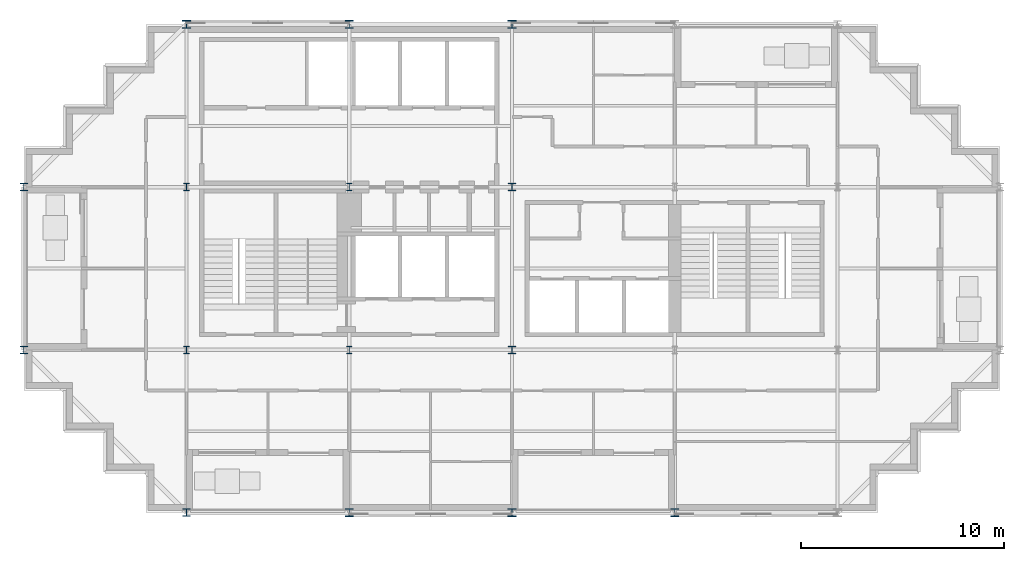
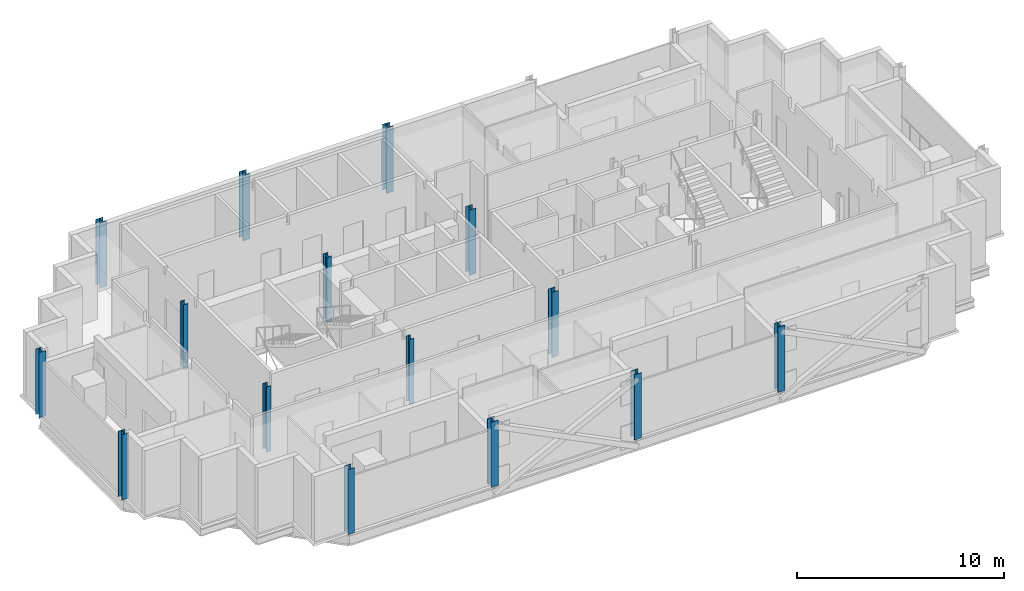
# One storey, part 1 of 10: 15 columns.
"""IFC4 building model written with IfcOpenShell, lengths in metres."""

from ifc_helpers import new_model, si_unit, direction, frame, origin, origin_2d, place, context, subcontext, project, spatial, i_section, extrude, material, material_profile, profile_set, type_object, element, save


model = new_model("IFC4")

# Units and contexts
model_context = context("Model", 3, precision=1e-05, world=origin(), true_north=direction((0.0, 1.0)))
body_context = subcontext(model_context, "Body", "Model", "MODEL_VIEW")
ifc_project = project(units=[si_unit("LENGTHUNIT", "METRE"), si_unit("AREAUNIT", "SQUARE_METRE"), si_unit("VOLUMEUNIT", "CUBIC_METRE"), si_unit("PLANEANGLEUNIT", "RADIAN"), si_unit("MASSUNIT", "GRAM", prefix="KILO")], contexts=[model_context])

# Site, building, storey
site_placement = place(None, origin())
site = spatial("IfcSite", under=ifc_project, at=site_placement, CompositionType="ELEMENT")
building_placement = place(site_placement, origin())
building = spatial("IfcBuilding", under=site, at=building_placement, Name="Immortelle Media Tower", CompositionType="ELEMENT")
storey_placement = place(building_placement, frame((0.0, 0.0, 279.0)))
storey = spatial("IfcBuildingStorey", under=building, at=storey_placement, Name="L61", CompositionType="ELEMENT", Elevation=279.0)

# Columns
ifc_material = material(Name="Steel ASTM A992 Gr 50", Category="steel")
ifc_material_profile_1 = material_profile(ifc_material, i_section(OverallWidth=0.373046875, OverallDepth=0.367919921875, WebThickness=0.014892578125, FlangeThickness=0.02392578125, at=origin_2d()), Name="W14x120")
ifc_profile_set_1 = profile_set([ifc_material_profile_1], Name="Steel ASTM A992 Gr 50")
column_type_1 = type_object("IfcColumnType", Name="W14x120 column", PredefinedType="COLUMN", material=ifc_profile_set_1)
for number, where, z_axis, x_axis, name in (
    (1, (0.0, 8.0, 0.0), (0.0, 0.0, 1.0), (1.0, 0.0, 0.0), "Column 1/B"),
    (2, (0.0, 16.0, 0.0), (0.0, 0.0, 1.0), (1.0, 0.0, 0.0), "Column 1/C"),
    (3, (8.0, 0.0, 0.0), (0.0, 0.0, 1.0), (1.0, 0.0, 0.0), "Column 2/A"),
):
    element("IfcColumn", number, at=place(storey_placement, frame(where, z_axis=z_axis, x_axis=x_axis)), inside=storey, type_object=column_type_1, Name=name, PredefinedType="COLUMN", context=body_context, shape_type="SweptSolid", body=[
        extrude(i_section(OverallWidth=0.373046875, OverallDepth=0.367919921875, WebThickness=0.014892578125, FlangeThickness=0.02392578125, at=origin_2d()), origin(), (0.0, 0.0, 1.0), 3.85009765625),
    ])
ifc_material_profile_2 = material_profile(ifc_material, i_section(OverallWidth=0.39892578125, OverallDepth=0.385986328125, WebThickness=0.02099609375, FlangeThickness=0.032958984375, at=origin_2d()), Name="W14x176")
ifc_profile_set_2 = profile_set([ifc_material_profile_2], Name="Steel ASTM A992 Gr 50")
column_type_2 = type_object("IfcColumnType", Name="W14x176 column", PredefinedType="COLUMN", material=ifc_profile_set_2)
for number, where, z_axis, x_axis, name in (
    (4, (8.0, 24.0, 0.0), (0.0, 0.0, 1.0), (1.0, 0.0, 0.0), "Column 2/D"),
    (5, (16.0, 0.0, 0.0), (0.0, 0.0, 1.0), (1.0, 0.0, 0.0), "Column 3/A"),
    (6, (16.0, 24.0, 0.0), (0.0, 0.0, 1.0), (1.0, 0.0, 0.0), "Column 3/D"),
    (7, (24.0, 0.0, 0.0), (0.0, 0.0, 1.0), (1.0, 0.0, 0.0), "Column 4/A"),
    (8, (24.0, 24.0, 0.0), (0.0, 0.0, 1.0), (1.0, 0.0, 0.0), "Column 4/D"),
    (9, (32.0, 0.0, 0.0), (0.0, 0.0, 1.0), (1.0, 0.0, 0.0), "Column 5/A"),
):
    element("IfcColumn", number, at=place(storey_placement, frame(where, z_axis=z_axis, x_axis=x_axis)), inside=storey, type_object=column_type_2, Name=name, PredefinedType="COLUMN", context=body_context, shape_type="SweptSolid", body=[
        extrude(i_section(OverallWidth=0.39892578125, OverallDepth=0.385986328125, WebThickness=0.02099609375, FlangeThickness=0.032958984375, at=origin_2d()), origin(), (0.0, 0.0, 1.0), 3.85009765625),
    ])
ifc_material_profile_3 = material_profile(ifc_material, i_section(OverallWidth=0.257080078125, OverallDepth=0.363037109375, WebThickness=0.012939453125, FlangeThickness=0.02197265625, at=origin_2d()), Name="W14x82")
ifc_profile_set_3 = profile_set([ifc_material_profile_3], Name="Steel ASTM A992 Gr 50")
column_type_3 = type_object("IfcColumnType", Name="W14x82 column", PredefinedType="COLUMN", material=ifc_profile_set_3)
for number, where, z_axis, x_axis, name in (
    (10, (8.0, 8.0, 0.0), (0.0, 0.0, 1.0), (1.0, 0.0, 0.0), "Column 2/B"),
    (11, (8.0, 16.0, 0.0), (0.0, 0.0, 1.0), (1.0, 0.0, 0.0), "Column 2/C"),
    (12, (16.0, 8.0, 0.0), (0.0, 0.0, 1.0), (1.0, 0.0, 0.0), "Column 3/B"),
    (13, (16.0, 16.0, 0.0), (0.0, 0.0, 1.0), (1.0, 0.0, 0.0), "Column 3/C"),
):
    element("IfcColumn", number, at=place(storey_placement, frame(where, z_axis=z_axis, x_axis=x_axis)), inside=storey, type_object=column_type_3, Name=name, PredefinedType="COLUMN", context=body_context, shape_type="SweptSolid", body=[
        extrude(i_section(OverallWidth=0.257080078125, OverallDepth=0.363037109375, WebThickness=0.012939453125, FlangeThickness=0.02197265625, at=origin_2d()), origin(), (0.0, 0.0, 1.0), 3.85009765625),
    ])
ifc_material_profile_4 = material_profile(ifc_material, i_section(OverallWidth=0.37109375, OverallDepth=0.361083984375, WebThickness=0.011962890625, FlangeThickness=0.02001953125, at=origin_2d()), Name="W14x99")
ifc_profile_set_4 = profile_set([ifc_material_profile_4], Name="Steel ASTM A992 Gr 50")
column_type_4 = type_object("IfcColumnType", Name="W14x99 column", PredefinedType="COLUMN", material=ifc_profile_set_4)
for number, where, z_axis, x_axis, name in (
    (14, (24.0, 8.0, 0.0), (0.0, 0.0, 1.0), (1.0, 0.0, 0.0), "Column 4/B"),
    (15, (24.0, 16.0, 0.0), (0.0, 0.0, 1.0), (1.0, 0.0, 0.0), "Column 4/C"),
):
    element("IfcColumn", number, at=place(storey_placement, frame(where, z_axis=z_axis, x_axis=x_axis)), inside=storey, type_object=column_type_4, Name=name, PredefinedType="COLUMN", context=body_context, shape_type="SweptSolid", body=[
        extrude(i_section(OverallWidth=0.37109375, OverallDepth=0.361083984375, WebThickness=0.011962890625, FlangeThickness=0.02001953125, at=origin_2d()), origin(), (0.0, 0.0, 1.0), 3.85009765625),
    ])

save(model, "model.ifc")
